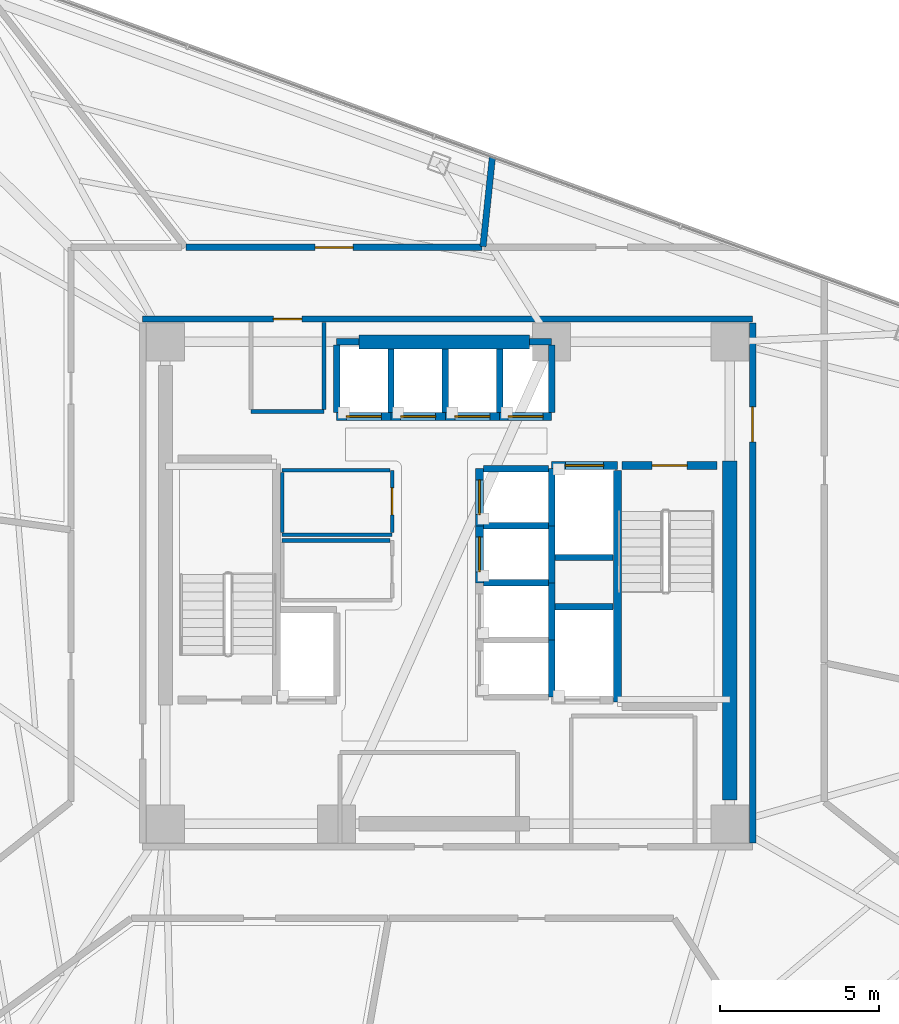
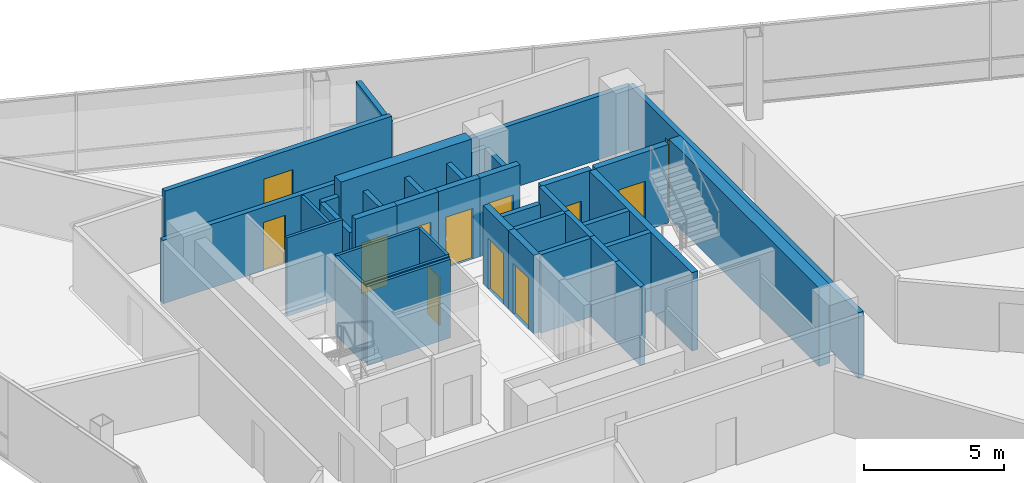
# One storey, part 11 of 16: 38 walls, 12 doors, 12 openings.
"""IFC4 building model written with IfcOpenShell, lengths in metres."""

from ifc_helpers import new_model, si_unit, direction, frame, frame_2d, origin, place, context, subcontext, project, spatial, rectangle, extrude, material, layer, layer_set, type_object, element, fill, save


model = new_model("IFC4")

# Units and contexts
model_context = context("Model", 3, precision=1e-05, world=origin(), true_north=direction((0.0, 1.0)))
body_context = subcontext(model_context, "Body", "Model", "MODEL_VIEW")
ifc_project = project(units=[si_unit("LENGTHUNIT", "METRE"), si_unit("AREAUNIT", "SQUARE_METRE"), si_unit("VOLUMEUNIT", "CUBIC_METRE"), si_unit("PLANEANGLEUNIT", "RADIAN"), si_unit("MASSUNIT", "GRAM", prefix="KILO")], contexts=[model_context])

# Site, building, storey
site_placement = place(None, origin())
site = spatial("IfcSite", under=ifc_project, at=site_placement, CompositionType="ELEMENT")
building_placement = place(site_placement, origin())
building = spatial("IfcBuilding", under=site, at=building_placement, Name="Tharavind Bronze Gate", CompositionType="ELEMENT")
storey_placement = place(building_placement, frame((0.0, 0.0, 170.5)))
storey = spatial("IfcBuildingStorey", under=building, at=storey_placement, Name="L43", CompositionType="ELEMENT", Elevation=170.5)

# Wall, opening, door
ifc_material_1 = material(Name="Aerated Concrete Block", Category="concrete")
ifc_layer_1 = layer(ifc_material_1, 0.199951171875)
ifc_layer_set_1 = layer_set([ifc_layer_1], Name="Aerated Concrete Block")
wall_type_1 = type_object("IfcWallType", Name="FIRE RATED PARTITION 200", PredefinedType="PARTITIONING", material=ifc_layer_set_1)
wall_1_placement = place(storey_placement, frame((9.6201171875, 8.320068359375, 0.0), z_axis=(0.0, 0.0, 1.0), x_axis=(-1.0, 0.0, 0.0)))
wall_1 = element("IfcWall", 1, at=wall_1_placement, inside=storey, type_object=wall_type_1, Name="L43 north core corridor wall", PredefinedType="PARTITIONING", context=body_context, shape_type="SweptSolid", body=[
    extrude(rectangle(XDim=19.240234375, YDim=0.199951171875, at=frame_2d((9.6201171875, 0.0))), origin(), (0.0, 0.0, 1.0), 2.764892578125),
])
opening_1_placement = place(wall_1_placement, frame((14.219970703125, 0.0, 0.0)))
opening_1 = element("IfcOpeningElement", 2, at=opening_1_placement, cuts=wall_1, Name="Opening ID07", PredefinedType="OPENING", context=body_context, shape_type="SweptSolid", body=[
    extrude(rectangle(XDim=0.89990234375, YDim=2.10009765625, at=frame_2d((0.449951171875, 1.050048828125))), frame((0.0, 0.11009765625, 0.0), z_axis=(0.0, -1.0, 0.0), x_axis=(1.0, 0.0, 0.0)), (0.0, 0.0, 1.0), 0.219951171875),
])
ifc_material_2 = material(Name="Galvanised Fire Steel", Category="steel")
door_type_1 = type_object("IfcDoorType", Name="PLANT AND RISER FIRE DOOR 900X2100", OperationType="SINGLE_SWING_LEFT", PredefinedType="DOOR", material=ifc_material_2)
door_1_placement = place(opening_1_placement, origin())
door_1 = element("IfcDoor", 3, at=door_1_placement, inside=storey, type_object=door_type_1, Name="L43 Electrical Switch Cupboard fire door", OperationType="SINGLE_SWING_LEFT", OverallHeight=2.10009765625, OverallWidth=0.89990234375, PredefinedType="DOOR", context=body_context, shape_type="SweptSolid", body=[
    extrude(rectangle(XDim=0.89990234375, YDim=2.10009765625, at=frame_2d((0.449951171875, 1.050048828125))), frame((0.0, 0.02490234375, 0.0), z_axis=(0.0, -1.0, 0.0), x_axis=(1.0, 0.0, 0.0)), (0.0, 0.0, 1.0), 0.050048828125),
])
fill(opening_1, door_1)

wall_2_placement = place(storey_placement, frame((9.6201171875, -8.199951171875, 0.0), z_axis=(0.0, 0.0, 1.0), x_axis=(0.0, 1.0, 0.0)))
wall_2 = element("IfcWall", 4, at=wall_2_placement, inside=storey, type_object=wall_type_1, Name="L43 east core corridor wall", PredefinedType="PARTITIONING", context=body_context, shape_type="SweptSolid", body=[
    extrude(rectangle(XDim=16.39990234375, YDim=0.199951171875, at=frame_2d((8.199951171875, 0.0))), origin(), (0.0, 0.0, 1.0), 2.864990234375),
])
opening_2_placement = place(wall_2_placement, frame((12.64990234375, 0.0, 0.0)))
opening_2 = element("IfcOpeningElement", 5, at=opening_2_placement, cuts=wall_2, Name="Opening ID01", PredefinedType="OPENING", context=body_context, shape_type="SweptSolid", body=[
    extrude(rectangle(XDim=1.10009765625, YDim=2.14990234375, at=frame_2d((0.550048828125, 1.074951171875))), frame((0.0, 0.11009765625, 0.0), z_axis=(0.0, -1.0, 0.0), x_axis=(1.0, 0.0, 0.0)), (0.0, 0.0, 1.0), 0.219951171875),
])
ifc_material_3 = material(Name="Fire-Rated Steel", Category="steel")
door_type_2 = type_object("IfcDoorType", Name="STAIR CORE FIRE DOOR 1100X2150", OperationType="SINGLE_SWING_LEFT", PredefinedType="DOOR", material=ifc_material_3)
door_2_placement = place(opening_2_placement, frame((1.10009765625, 0.0, 0.0), z_axis=(0.0, 0.0, 1.0), x_axis=(-1.0, 0.0, 0.0)))
door_2 = element("IfcDoor", 6, at=door_2_placement, inside=storey, type_object=door_type_2, Name="L43 north east stair lobby fire door", OperationType="SINGLE_SWING_LEFT", OverallHeight=2.14990234375, OverallWidth=1.10009765625, PredefinedType="DOOR", context=body_context, shape_type="SweptSolid", body=[
    extrude(rectangle(XDim=1.10009765625, YDim=2.14990234375, at=frame_2d((0.550048828125, 1.074951171875))), frame((0.0, 0.02490234375, 0.0), z_axis=(0.0, -1.0, 0.0), x_axis=(1.0, 0.0, 0.0)), (0.0, 0.0, 1.0), 0.050048828125),
])
fill(opening_2, door_2)

# Wall
wall_3_placement = place(storey_placement, frame((1.114990234375, 10.607666015625, 0.0), z_axis=(0.0, 0.0, 1.0), x_axis=(0.10451827762, 0.99452296587, 0.0)))
element("IfcWall", 7, at=wall_3_placement, inside=storey, type_object=wall_type_1, Name="L43 Sovereign Fund Open Office partition", PredefinedType="PARTITIONING", context=body_context, shape_type="SweptSolid", body=[
    extrude(rectangle(XDim=2.823974609375, YDim=0.199951171875, at=frame_2d((1.412109375, 0.0))), origin(), (0.0, 0.0, 1.0), 2.715087890625),
])

# Wall, opening, door
wall_4_placement = place(storey_placement, frame((1.089599609375, 10.580078125, 0.0), z_axis=(0.0, 0.0, 1.0), x_axis=(-1.0, 0.0, 0.0)))
wall_4 = element("IfcWall", 8, at=wall_4_placement, inside=storey, type_object=wall_type_1, Name="L43 Investment Committee Room partition", PredefinedType="PARTITIONING", context=body_context, shape_type="SweptSolid", body=[
    extrude(rectangle(XDim=9.343505859375, YDim=0.199951171875, at=frame_2d((4.671875, 0.0))), origin(), (0.0, 0.0, 1.0), 3.054931640625),
])
opening_3_placement = place(wall_4_placement, frame((4.072021484375, 0.0, 0.0)))
opening_3 = element("IfcOpeningElement", 9, at=opening_3_placement, cuts=wall_4, Name="Opening ID05", PredefinedType="OPENING", context=body_context, shape_type="SweptSolid", body=[
    extrude(rectangle(XDim=1.199951171875, YDim=2.14990234375, at=frame_2d((0.60009765625, 1.074951171875))), frame((0.0, 0.11009765625, 0.0), z_axis=(0.0, -1.0, 0.0), x_axis=(1.0, 0.0, 0.0)), (0.0, 0.0, 1.0), 0.219951171875),
])
ifc_material_4 = material(Name="Acoustic Laminated Glass", Category="glass")
door_type_3 = type_object("IfcDoorType", Name="MEETING ROOM GLAZED DOOR 1200X2150", OperationType="SINGLE_SWING_LEFT", PredefinedType="DOOR", material=ifc_material_4)
door_3_placement = place(opening_3_placement, origin())
door_3 = element("IfcDoor", 10, at=door_3_placement, inside=storey, type_object=door_type_3, Name="L43 Investment Committee Room door", OperationType="SINGLE_SWING_LEFT", OverallHeight=2.14990234375, OverallWidth=1.199951171875, PredefinedType="DOOR", context=body_context, shape_type="SweptSolid", body=[
    extrude(rectangle(XDim=1.199951171875, YDim=2.14990234375, at=frame_2d((0.60009765625, 1.074951171875))), frame((0.0, 0.02490234375, 0.0), z_axis=(0.0, -1.0, 0.0), x_axis=(1.0, 0.0, 0.0)), (0.0, 0.0, 1.0), 0.050048828125),
])
fill(opening_3, door_3)

# Wall
ifc_material_5 = material(Name="Metal Stud Gypsum Partition", Category="gypsum")
ifc_layer_2 = layer(ifc_material_5, 0.1201171875)
ifc_layer_set_2 = layer_set([ifc_layer_2], Name="Metal Stud Gypsum Partition")
wall_type_2 = type_object("IfcWallType", Name="INTERIOR PARTITION WALL 120", PredefinedType="PARTITIONING", material=ifc_layer_set_2)
wall_5_placement = place(storey_placement, frame((-5.219970703125, 1.52001953125, 0.0), z_axis=(0.0, 0.0, 1.0), x_axis=(1.0, 0.0, 0.0)))
element("IfcWall", 11, at=wall_5_placement, inside=storey, type_object=wall_type_2, Name="L43 Cleaner Store Room partition 1", PredefinedType="PARTITIONING", context=body_context, shape_type="SweptSolid", body=[
    extrude(rectangle(XDim=3.469970703125, YDim=0.1201171875, at=frame_2d((1.73486328125, 0.0))), origin(), (0.0, 0.0, 1.0), 3.419921875),
])

# Wall, opening, door
wall_6_placement = place(storey_placement, frame((-1.75, 1.5849609375, 0.0), z_axis=(0.0, 0.0, 1.0), x_axis=(0.0, 1.0, 0.0)))
wall_6 = element("IfcWall", 12, at=wall_6_placement, inside=storey, type_object=wall_type_2, Name="L43 Cleaner Store Room partition 2", PredefinedType="PARTITIONING", context=body_context, shape_type="SweptSolid", body=[
    extrude(rectangle(XDim=1.965087890625, YDim=0.1201171875, at=frame_2d((0.982421875, 0.0))), origin(), (0.0, 0.0, 1.0), 3.419921875),
])
opening_4_placement = place(wall_6_placement, frame((0.556884765625, 0.0, 0.0)))
opening_4 = element("IfcOpeningElement", 13, at=opening_4_placement, cuts=wall_6, Name="Opening ID06", PredefinedType="OPENING", context=body_context, shape_type="SweptSolid", body=[
    extrude(rectangle(XDim=0.85009765625, YDim=2.10009765625, at=frame_2d((0.425048828125, 1.050048828125))), frame((0.0, 0.07005859375, 0.0), z_axis=(0.0, -1.0, 0.0), x_axis=(1.0, 0.0, 0.0)), (0.0, 0.0, 1.0), 0.1401171875),
])
ifc_material_6 = material(Name="Moisture-Resistant Timber", Category="wood")
door_type_4 = type_object("IfcDoorType", Name="BATHROOM PRIVACY DOOR 850X2100", OperationType="SINGLE_SWING_RIGHT", PredefinedType="DOOR", material=ifc_material_6)
door_4_placement = place(opening_4_placement, frame((0.85009765625, 0.0, 0.0), z_axis=(0.0, 0.0, 1.0), x_axis=(-1.0, 0.0, 0.0)))
door_4 = element("IfcDoor", 14, at=door_4_placement, inside=storey, type_object=door_type_4, Name="L43 Cleaner Store Room door", OperationType="SINGLE_SWING_RIGHT", OverallHeight=2.10009765625, OverallWidth=0.85009765625, PredefinedType="DOOR", context=body_context, shape_type="SweptSolid", body=[
    extrude(rectangle(XDim=0.85009765625, YDim=2.10009765625, at=frame_2d((0.425048828125, 1.050048828125))), frame((0.0, 0.02490234375, 0.0), z_axis=(0.0, -1.0, 0.0), x_axis=(1.0, 0.0, 0.0)), (0.0, 0.0, 1.0), 0.050048828125),
])
fill(opening_4, door_4)

# Walls
wall_7_placement = place(storey_placement, frame((-1.81494140625, 3.550048828125, 0.0), z_axis=(0.0, 0.0, 1.0), x_axis=(-1.0, 0.0, 0.0)))
element("IfcWall", 15, at=wall_7_placement, inside=storey, type_object=wall_type_2, Name="L43 Cleaner Store Room partition 3", PredefinedType="PARTITIONING", context=body_context, shape_type="SweptSolid", body=[
    extrude(rectangle(XDim=3.405029296875, YDim=0.1201171875, at=frame_2d((1.70263671875, 0.0))), origin(), (0.0, 0.0, 1.0), 3.419921875),
])
wall_8_placement = place(storey_placement, frame((-5.219970703125, 3.485107421875, 0.0), z_axis=(0.0, 0.0, 1.0), x_axis=(0.0, -1.0, 0.0)))
element("IfcWall", 16, at=wall_8_placement, inside=storey, type_object=wall_type_2, Name="L43 Cleaner Store Room partition 4", PredefinedType="PARTITIONING", context=body_context, shape_type="SweptSolid", body=[
    extrude(rectangle(XDim=1.900146484375, YDim=0.1201171875, at=frame_2d((0.9501953125, 0.0))), origin(), (0.0, 0.0, 1.0), 3.419921875),
])
wall_9_placement = place(storey_placement, frame((-1.81494140625, 1.340087890625, 0.0), z_axis=(0.0, 0.0, 1.0), x_axis=(-1.0, 0.0, 0.0)))
element("IfcWall", 17, at=wall_9_placement, inside=storey, type_object=wall_type_2, Name="L43 Electrical Switch Room partition 3", PredefinedType="PARTITIONING", context=body_context, shape_type="SweptSolid", body=[
    extrude(rectangle(XDim=3.405029296875, YDim=0.1201171875, at=frame_2d((1.70263671875, 0.0))), origin(), (0.0, 0.0, 1.0), 3.419921875),
])
wall_10_placement = place(storey_placement, frame((-6.199951171875, 5.39990234375, 0.0), z_axis=(0.0, 0.0, 1.0), x_axis=(1.0, 0.0, 0.0)))
element("IfcWall", 18, at=wall_10_placement, inside=storey, type_object=wall_type_2, Name="L43 Electrical Switch Cupboard partition 1", PredefinedType="PARTITIONING", context=body_context, shape_type="SweptSolid", body=[
    extrude(rectangle(XDim=2.300048828125, YDim=0.1201171875, at=frame_2d((1.14990234375, 0.0))), origin(), (0.0, 0.0, 1.0), 3.419921875),
])
wall_11_placement = place(storey_placement, frame((-3.89990234375, 5.465087890625, 0.0), z_axis=(0.0, 0.0, 1.0), x_axis=(0.0, 1.0, 0.0)))
element("IfcWall", 19, at=wall_11_placement, inside=storey, type_object=wall_type_2, Name="L43 Electrical Switch Cupboard partition 2", PredefinedType="PARTITIONING", context=body_context, shape_type="SweptSolid", body=[
    extrude(rectangle(XDim=2.75, YDim=0.1201171875, at=frame_2d((1.375, 0.0))), origin(), (0.0, 0.0, 1.0), 2.715087890625),
])
ifc_material_7 = material(Name="Concrete C50/60", Category="concrete")
ifc_layer_3 = layer(ifc_material_7, 0.25)
ifc_layer_set_3 = layer_set([ifc_layer_3], Name="Concrete C50/60")
wall_type_3 = type_object("IfcWallType", Name="RC CORE SHEAR WALL 250", PredefinedType="SHEAR", material=ifc_layer_set_3)
wall_12_placement = place(storey_placement, frame((5.35009765625, -3.75, 0.0), z_axis=(0.0, 0.0, 1.0), x_axis=(0.0, 1.0, 0.0)))
element("IfcWall", 20, at=wall_12_placement, inside=storey, type_object=wall_type_3, Name="L43 ST2 shaft west wall", PredefinedType="SHEAR", context=body_context, shape_type="SweptSolid", body=[
    extrude(rectangle(XDim=7.300048828125, YDim=0.25, at=frame_2d((3.64990234375, 0.0))), origin(), (0.0, 0.0, 1.0), 3.419921875),
])

# Wall, opening, door
wall_13_placement = place(storey_placement, frame((5.5, 3.699951171875, 0.0), z_axis=(0.0, 0.0, 1.0), x_axis=(1.0, 0.0, 0.0)))
wall_13 = element("IfcWall", 21, at=wall_13_placement, inside=storey, type_object=wall_type_3, Name="L43 ST2 shaft north wall", PredefinedType="SHEAR", context=body_context, shape_type="SweptSolid", body=[
    extrude(rectangle(XDim=3.0, YDim=0.25, at=frame_2d((1.5, 0.0))), origin(), (0.0, 0.0, 1.0), 3.419921875),
])
opening_5_placement = place(wall_13_placement, frame((0.949951171875, 0.0, 0.0)))
opening_5 = element("IfcOpeningElement", 22, at=opening_5_placement, cuts=wall_13, Name="Opening ID01", PredefinedType="OPENING", context=body_context, shape_type="SweptSolid", body=[
    extrude(rectangle(XDim=1.10009765625, YDim=2.14990234375, at=frame_2d((0.550048828125, 1.074951171875))), frame((0.0, 0.135, 0.0), z_axis=(0.0, -1.0, 0.0), x_axis=(1.0, 0.0, 0.0)), (0.0, 0.0, 1.0), 0.27),
])
door_5_placement = place(opening_5_placement, frame((1.10009765625, 0.0, 0.0), z_axis=(0.0, 0.0, 1.0), x_axis=(-1.0, 0.0, 0.0)))
door_5 = element("IfcDoor", 23, at=door_5_placement, inside=storey, type_object=door_type_2, Name="L43 exit stair ST2 fire door", OperationType="SINGLE_SWING_LEFT", OverallHeight=2.14990234375, OverallWidth=1.10009765625, PredefinedType="DOOR", context=body_context, shape_type="SweptSolid", body=[
    extrude(rectangle(XDim=1.10009765625, YDim=2.14990234375, at=frame_2d((0.550048828125, 1.074951171875))), frame((0.0, 0.02490234375, 0.0), z_axis=(0.0, -1.0, 0.0), x_axis=(1.0, 0.0, 0.0)), (0.0, 0.0, 1.0), 0.050048828125),
])
fill(opening_5, door_5)

wall_14_placement = place(storey_placement, frame((-3.5, 5.25, 0.0), z_axis=(0.0, 0.0, 1.0), x_axis=(1.0, 0.0, 0.0)))
wall_14 = element("IfcWall", 24, at=wall_14_placement, inside=storey, type_object=wall_type_3, Name="L43 lift PL5 shaft front wall", PredefinedType="SHEAR", context=body_context, shape_type="SweptSolid", body=[
    extrude(rectangle(XDim=1.71240234375, YDim=0.25, at=frame_2d((0.856201171875, 0.0))), origin(), (0.0, 0.0, 1.0), 3.419921875),
])
opening_6_placement = place(wall_14_placement, frame((0.305908203125, 0.0, 0.0)))
opening_6 = element("IfcOpeningElement", 25, at=opening_6_placement, cuts=wall_14, Name="Opening LD01", PredefinedType="OPENING", context=body_context, shape_type="SweptSolid", body=[
    extrude(rectangle(XDim=1.10009765625, YDim=2.199951171875, at=frame_2d((0.550048828125, 1.10009765625))), frame((0.0, 0.135, 0.0), z_axis=(0.0, -1.0, 0.0), x_axis=(1.0, 0.0, 0.0)), (0.0, 0.0, 1.0), 0.27),
])
ifc_material_8 = material(Name="Brushed Bronze Stainless Steel", Category="steel")
door_type_5 = type_object("IfcDoorType", Name="LIFT LANDING SLIDING DOOR 1100X2200", OperationType="SLIDING_TO_LEFT", PredefinedType="DOOR", material=ifc_material_8)
door_6_placement = place(opening_6_placement, origin())
door_6 = element("IfcDoor", 26, at=door_6_placement, inside=storey, type_object=door_type_5, Name="L43 lift PL5 sliding landing door", OperationType="SLIDING_TO_LEFT", OverallHeight=2.199951171875, OverallWidth=1.10009765625, PredefinedType="DOOR", context=body_context, shape_type="SweptSolid", body=[
    extrude(rectangle(XDim=1.10009765625, YDim=2.199951171875, at=frame_2d((0.550048828125, 1.10009765625))), frame((0.0, 0.02490234375, 0.0), z_axis=(0.0, -1.0, 0.0), x_axis=(1.0, 0.0, 0.0)), (0.0, 0.0, 1.0), 0.050048828125),
])
fill(opening_6, door_6)

wall_15_placement = place(storey_placement, frame((-1.78759765625, 5.25, 0.0), z_axis=(0.0, 0.0, 1.0), x_axis=(1.0, 0.0, 0.0)))
wall_15 = element("IfcWall", 27, at=wall_15_placement, inside=storey, type_object=wall_type_3, Name="L43 lift PL6 shaft front wall", PredefinedType="SHEAR", context=body_context, shape_type="SweptSolid", body=[
    extrude(rectangle(XDim=1.712646484375, YDim=0.25, at=frame_2d((0.8564453125, 0.0))), origin(), (0.0, 0.0, 1.0), 3.419921875),
])
opening_7_placement = place(wall_15_placement, frame((0.305908203125, 0.0, 0.0)))
opening_7 = element("IfcOpeningElement", 28, at=opening_7_placement, cuts=wall_15, Name="Opening LD01", PredefinedType="OPENING", context=body_context, shape_type="SweptSolid", body=[
    extrude(rectangle(XDim=1.10009765625, YDim=2.199951171875, at=frame_2d((0.550048828125, 1.10009765625))), frame((0.0, 0.135, 0.0), z_axis=(0.0, -1.0, 0.0), x_axis=(1.0, 0.0, 0.0)), (0.0, 0.0, 1.0), 0.27),
])
door_7_placement = place(opening_7_placement, origin())
door_7 = element("IfcDoor", 29, at=door_7_placement, inside=storey, type_object=door_type_5, Name="L43 lift PL6 sliding landing door", OperationType="SLIDING_TO_LEFT", OverallHeight=2.199951171875, OverallWidth=1.10009765625, PredefinedType="DOOR", context=body_context, shape_type="SweptSolid", body=[
    extrude(rectangle(XDim=1.10009765625, YDim=2.199951171875, at=frame_2d((0.550048828125, 1.10009765625))), frame((0.0, 0.02490234375, 0.0), z_axis=(0.0, -1.0, 0.0), x_axis=(1.0, 0.0, 0.0)), (0.0, 0.0, 1.0), 0.050048828125),
])
fill(opening_7, door_7)

wall_16_placement = place(storey_placement, frame((-0.074951171875, 5.25, 0.0), z_axis=(0.0, 0.0, 1.0), x_axis=(1.0, 0.0, 0.0)))
wall_16 = element("IfcWall", 30, at=wall_16_placement, inside=storey, type_object=wall_type_3, Name="L43 lift PL7 shaft front wall", PredefinedType="SHEAR", context=body_context, shape_type="SweptSolid", body=[
    extrude(rectangle(XDim=1.71240234375, YDim=0.25, at=frame_2d((0.856201171875, 0.0))), origin(), (0.0, 0.0, 1.0), 3.419921875),
])
opening_8_placement = place(wall_16_placement, frame((0.305908203125, 0.0, 0.0)))
opening_8 = element("IfcOpeningElement", 31, at=opening_8_placement, cuts=wall_16, Name="Opening LD01", PredefinedType="OPENING", context=body_context, shape_type="SweptSolid", body=[
    extrude(rectangle(XDim=1.10009765625, YDim=2.199951171875, at=frame_2d((0.550048828125, 1.10009765625))), frame((0.0, 0.135, 0.0), z_axis=(0.0, -1.0, 0.0), x_axis=(1.0, 0.0, 0.0)), (0.0, 0.0, 1.0), 0.27),
])
door_8_placement = place(opening_8_placement, origin())
door_8 = element("IfcDoor", 32, at=door_8_placement, inside=storey, type_object=door_type_5, Name="L43 lift PL7 sliding landing door", OperationType="SLIDING_TO_LEFT", OverallHeight=2.199951171875, OverallWidth=1.10009765625, PredefinedType="DOOR", context=body_context, shape_type="SweptSolid", body=[
    extrude(rectangle(XDim=1.10009765625, YDim=2.199951171875, at=frame_2d((0.550048828125, 1.10009765625))), frame((0.0, 0.02490234375, 0.0), z_axis=(0.0, -1.0, 0.0), x_axis=(1.0, 0.0, 0.0)), (0.0, 0.0, 1.0), 0.050048828125),
])
fill(opening_8, door_8)

wall_17_placement = place(storey_placement, frame((1.637451171875, 5.25, 0.0), z_axis=(0.0, 0.0, 1.0), x_axis=(1.0, 0.0, 0.0)))
wall_17 = element("IfcWall", 33, at=wall_17_placement, inside=storey, type_object=wall_type_3, Name="L43 lift PL8 shaft front wall", PredefinedType="SHEAR", context=body_context, shape_type="SweptSolid", body=[
    extrude(rectangle(XDim=1.642578125, YDim=0.25, at=frame_2d((0.8212890625, 0.0))), origin(), (0.0, 0.0, 1.0), 3.419921875),
])
opening_9_placement = place(wall_17_placement, frame((0.27099609375, 0.0, 0.0)))
opening_9 = element("IfcOpeningElement", 34, at=opening_9_placement, cuts=wall_17, Name="Opening LD01", PredefinedType="OPENING", context=body_context, shape_type="SweptSolid", body=[
    extrude(rectangle(XDim=1.10009765625, YDim=2.199951171875, at=frame_2d((0.550048828125, 1.10009765625))), frame((0.0, 0.135, 0.0), z_axis=(0.0, -1.0, 0.0), x_axis=(1.0, 0.0, 0.0)), (0.0, 0.0, 1.0), 0.27),
])
door_9_placement = place(opening_9_placement, origin())
door_9 = element("IfcDoor", 35, at=door_9_placement, inside=storey, type_object=door_type_5, Name="L43 lift PL8 sliding landing door", OperationType="SLIDING_TO_LEFT", OverallHeight=2.199951171875, OverallWidth=1.10009765625, PredefinedType="DOOR", context=body_context, shape_type="SweptSolid", body=[
    extrude(rectangle(XDim=1.10009765625, YDim=2.199951171875, at=frame_2d((0.550048828125, 1.10009765625))), frame((0.0, 0.02490234375, 0.0), z_axis=(0.0, -1.0, 0.0), x_axis=(1.0, 0.0, 0.0)), (0.0, 0.0, 1.0), 0.050048828125),
])
fill(opening_9, door_9)

wall_18_placement = place(storey_placement, frame((1.0, 0.0, 0.0), z_axis=(0.0, 0.0, 1.0), x_axis=(0.0, 1.0, 0.0)))
wall_18 = element("IfcWall", 36, at=wall_18_placement, inside=storey, type_object=wall_type_3, Name="L43 lift PL11 shaft front wall", PredefinedType="SHEAR", context=body_context, shape_type="SweptSolid", body=[
    extrude(rectangle(XDim=1.800048828125, YDim=0.25, at=frame_2d((0.89990234375, 0.0))), origin(), (0.0, 0.0, 1.0), 3.419921875),
])
opening_10_placement = place(wall_18_placement, frame((0.35009765625, 0.0, 0.0)))
opening_10 = element("IfcOpeningElement", 37, at=opening_10_placement, cuts=wall_18, Name="Opening LD01", PredefinedType="OPENING", context=body_context, shape_type="SweptSolid", body=[
    extrude(rectangle(XDim=1.10009765625, YDim=2.199951171875, at=frame_2d((0.550048828125, 1.10009765625))), frame((0.0, 0.135, 0.0), z_axis=(0.0, -1.0, 0.0), x_axis=(1.0, 0.0, 0.0)), (0.0, 0.0, 1.0), 0.27),
])
door_10_placement = place(opening_10_placement, origin())
door_10 = element("IfcDoor", 38, at=door_10_placement, inside=storey, type_object=door_type_5, Name="L43 lift PL11 sliding landing door", OperationType="SLIDING_TO_LEFT", OverallHeight=2.199951171875, OverallWidth=1.10009765625, PredefinedType="DOOR", context=body_context, shape_type="SweptSolid", body=[
    extrude(rectangle(XDim=1.10009765625, YDim=2.199951171875, at=frame_2d((0.550048828125, 1.10009765625))), frame((0.0, 0.02490234375, 0.0), z_axis=(0.0, -1.0, 0.0), x_axis=(1.0, 0.0, 0.0)), (0.0, 0.0, 1.0), 0.050048828125),
])
fill(opening_10, door_10)

wall_19_placement = place(storey_placement, frame((1.0, 1.800048828125, 0.0), z_axis=(0.0, 0.0, 1.0), x_axis=(0.0, 1.0, 0.0)))
wall_19 = element("IfcWall", 39, at=wall_19_placement, inside=storey, type_object=wall_type_3, Name="L43 lift PL12 shaft front wall", PredefinedType="SHEAR", context=body_context, shape_type="SweptSolid", body=[
    extrude(rectangle(XDim=1.800048828125, YDim=0.25, at=frame_2d((0.89990234375, 0.0))), origin(), (0.0, 0.0, 1.0), 3.419921875),
])
opening_11_placement = place(wall_19_placement, frame((0.35009765625, 0.0, 0.0)))
opening_11 = element("IfcOpeningElement", 40, at=opening_11_placement, cuts=wall_19, Name="Opening LD01", PredefinedType="OPENING", context=body_context, shape_type="SweptSolid", body=[
    extrude(rectangle(XDim=1.10009765625, YDim=2.199951171875, at=frame_2d((0.550048828125, 1.10009765625))), frame((0.0, 0.135, 0.0), z_axis=(0.0, -1.0, 0.0), x_axis=(1.0, 0.0, 0.0)), (0.0, 0.0, 1.0), 0.27),
])
door_11_placement = place(opening_11_placement, origin())
door_11 = element("IfcDoor", 41, at=door_11_placement, inside=storey, type_object=door_type_5, Name="L43 lift PL12 sliding landing door", OperationType="SLIDING_TO_LEFT", OverallHeight=2.199951171875, OverallWidth=1.10009765625, PredefinedType="DOOR", context=body_context, shape_type="SweptSolid", body=[
    extrude(rectangle(XDim=1.10009765625, YDim=2.199951171875, at=frame_2d((0.550048828125, 1.10009765625))), frame((0.0, 0.02490234375, 0.0), z_axis=(0.0, -1.0, 0.0), x_axis=(1.0, 0.0, 0.0)), (0.0, 0.0, 1.0), 0.050048828125),
])
fill(opening_11, door_11)

wall_20_placement = place(storey_placement, frame((3.280029296875, 3.699951171875, 0.0), z_axis=(0.0, 0.0, 1.0), x_axis=(1.0, 0.0, 0.0)))
wall_20 = element("IfcWall", 42, at=wall_20_placement, inside=storey, type_object=wall_type_3, Name="L43 lift FFL2 shaft front wall", PredefinedType="SHEAR", context=body_context, shape_type="SweptSolid", body=[
    extrude(rectangle(XDim=2.070068359375, YDim=0.25, at=frame_2d((1.03515625, 0.0))), origin(), (0.0, 0.0, 1.0), 3.419921875),
])
opening_12_placement = place(wall_20_placement, frame((0.43505859375, 0.0, 0.0)))
opening_12 = element("IfcOpeningElement", 43, at=opening_12_placement, cuts=wall_20, Name="Opening LD02", PredefinedType="OPENING", context=body_context, shape_type="SweptSolid", body=[
    extrude(rectangle(XDim=1.199951171875, YDim=2.199951171875, at=frame_2d((0.60009765625, 1.10009765625))), frame((0.0, 0.135, 0.0), z_axis=(0.0, -1.0, 0.0), x_axis=(1.0, 0.0, 0.0)), (0.0, 0.0, 1.0), 0.27),
])
ifc_material_9 = material(Name="Brushed Stainless Steel", Category="steel")
door_type_6 = type_object("IfcDoorType", Name="FIREFIGHTING LIFT LANDING DOOR 1200X2200", OperationType="SLIDING_TO_RIGHT", PredefinedType="DOOR", material=ifc_material_9)
door_12_placement = place(opening_12_placement, origin())
door_12 = element("IfcDoor", 44, at=door_12_placement, inside=storey, type_object=door_type_6, Name="L43 lift FFL2 sliding landing door", OperationType="SLIDING_TO_RIGHT", OverallHeight=2.199951171875, OverallWidth=1.199951171875, PredefinedType="DOOR", context=body_context, shape_type="SweptSolid", body=[
    extrude(rectangle(XDim=1.199951171875, YDim=2.199951171875, at=frame_2d((0.60009765625, 1.10009765625))), frame((0.0, 0.02490234375, 0.0), z_axis=(0.0, -1.0, 0.0), x_axis=(1.0, 0.0, 0.0)), (0.0, 0.0, 1.0), 0.050048828125),
])
fill(opening_12, door_12)

# Walls
ifc_material_10 = material(Name="Concrete C60/75", Category="concrete")
ifc_layer_4 = layer(ifc_material_10, 0.449951171875)
ifc_layer_set_4 = layer_set([ifc_layer_4], Name="Concrete C60/75")
wall_type_4 = type_object("IfcWallType", Name="RC CORE SHEAR WALL 450", PredefinedType="SHEAR", material=ifc_layer_set_4)
wall_21_placement = place(storey_placement, frame((-2.800048828125, 7.60009765625, 0.0), z_axis=(0.0, 0.0, 1.0), x_axis=(1.0, 0.0, 0.0)))
element("IfcWall", 45, at=wall_21_placement, inside=storey, type_object=wall_type_4, Name="L43 north core shear wall", PredefinedType="SHEAR", context=body_context, shape_type="SweptSolid", body=[
    extrude(rectangle(XDim=5.380126953125, YDim=0.449951171875, at=frame_2d((2.68994140625, 0.0))), origin(), (0.0, 0.0, 1.0), 3.419921875),
])
wall_22_placement = place(storey_placement, frame((8.89990234375, -6.85009765625, 0.0), z_axis=(0.0, 0.0, 1.0), x_axis=(0.0, 1.0, 0.0)))
element("IfcWall", 46, at=wall_22_placement, inside=storey, type_object=wall_type_4, Name="L43 east core shear wall", PredefinedType="SHEAR", context=body_context, shape_type="SweptSolid", body=[
    extrude(rectangle(XDim=10.7001953125, YDim=0.449951171875, at=frame_2d((5.35009765625, 0.0))), origin(), (0.0, 0.0, 1.0), 3.419921875),
])
ifc_material_11 = material(Name="Concrete C40/50", Category="concrete")
ifc_layer_5 = layer(ifc_material_11, 0.199951171875)
ifc_layer_set_5 = layer_set([ifc_layer_5], Name="Concrete C40/50")
wall_type_5 = type_object("IfcWallType", Name="SHAFT ENCLOSURE WALL 200", PredefinedType="PARTITIONING", material=ifc_layer_set_5)
wall_23_placement = place(storey_placement, frame((-3.5, 7.60009765625, 0.0), z_axis=(0.0, 0.0, 1.0), x_axis=(1.0, 0.0, 0.0)))
element("IfcWall", 47, at=wall_23_placement, inside=storey, type_object=wall_type_5, Name="L43 lift PL5 shaft N enclosure wall", PredefinedType="PARTITIONING", context=body_context, shape_type="SweptSolid", body=[
    extrude(rectangle(XDim=0.699951171875, YDim=0.199951171875, at=frame_2d((0.35009765625, 0.0))), origin(), (0.0, 0.0, 1.0), 2.715087890625),
])
wall_24_placement = place(storey_placement, frame((-3.5, 5.3798828125, 0.0), z_axis=(0.0, 0.0, 1.0), x_axis=(0.0, 1.0, 0.0)))
element("IfcWall", 48, at=wall_24_placement, inside=storey, type_object=wall_type_5, Name="L43 lift PL5 shaft W enclosure wall", PredefinedType="PARTITIONING", context=body_context, shape_type="SweptSolid", body=[
    extrude(rectangle(XDim=2.115234375, YDim=0.199951171875, at=frame_2d((1.0576171875, 0.0))), origin(), (0.0, 0.0, 1.0), 2.715087890625),
])
for number, where, z_axis, x_axis, name in (
    (49, (-1.78759765625, 5.3798828125, 0.0), (0.0, 0.0, 1.0), (0.0, 1.0, 0.0), "L43 lift PL5 shaft E enclosure wall"),
    (50, (-0.074951171875, 5.3798828125, 0.0), (0.0, 0.0, 1.0), (0.0, 1.0, 0.0), "L43 lift PL6 shaft E enclosure wall"),
    (51, (1.637451171875, 5.3798828125, 0.0), (0.0, 0.0, 1.0), (0.0, 1.0, 0.0), "L43 lift PL7 shaft E enclosure wall"),
):
    element("IfcWall", number, at=place(storey_placement, frame(where, z_axis=z_axis, x_axis=x_axis)), inside=storey, type_object=wall_type_5, Name=name, PredefinedType="PARTITIONING", context=body_context, shape_type="SweptSolid", body=[
        extrude(rectangle(XDim=1.990234375, YDim=0.199951171875, at=frame_2d((0.9951171875, 0.0))), origin(), (0.0, 0.0, 1.0), 2.715087890625),
    ])
wall_25_placement = place(storey_placement, frame((2.580078125, 7.60009765625, 0.0), z_axis=(0.0, 0.0, 1.0), x_axis=(1.0, 0.0, 0.0)))
element("IfcWall", 52, at=wall_25_placement, inside=storey, type_object=wall_type_5, Name="L43 lift PL8 shaft N enclosure wall", PredefinedType="PARTITIONING", context=body_context, shape_type="SweptSolid", body=[
    extrude(rectangle(XDim=0.699951171875, YDim=0.199951171875, at=frame_2d((0.35009765625, 0.0))), origin(), (0.0, 0.0, 1.0), 2.715087890625),
])
wall_26_placement = place(storey_placement, frame((3.280029296875, 5.3798828125, 0.0), z_axis=(0.0, 0.0, 1.0), x_axis=(0.0, 1.0, 0.0)))
element("IfcWall", 53, at=wall_26_placement, inside=storey, type_object=wall_type_5, Name="L43 lift PL8 shaft E enclosure wall", PredefinedType="PARTITIONING", context=body_context, shape_type="SweptSolid", body=[
    extrude(rectangle(XDim=2.115234375, YDim=0.199951171875, at=frame_2d((1.0576171875, 0.0))), origin(), (0.0, 0.0, 1.0), 2.715087890625),
])
for number, where, z_axis, x_axis, name in (
    (54, (3.280029296875, -3.60009765625, 0.0), (0.0, 0.0, 1.0), (0.0, 1.0, 0.0), "L43 lift PL9 shaft E enclosure wall"),
    (55, (3.280029296875, -1.800048828125, 0.0), (0.0, 0.0, 1.0), (0.0, 1.0, 0.0), "L43 lift PL10 shaft E enclosure wall"),
):
    element("IfcWall", number, at=place(storey_placement, frame(where, z_axis=z_axis, x_axis=x_axis)), inside=storey, type_object=wall_type_5, Name=name, PredefinedType="PARTITIONING", context=body_context, shape_type="SweptSolid", body=[
        extrude(rectangle(XDim=1.800048828125, YDim=0.199951171875, at=frame_2d((0.89990234375, 0.0))), origin(), (0.0, 0.0, 1.0), 3.419921875),
    ])
wall_27_placement = place(storey_placement, frame((1.1298828125, 0.0, 0.0), z_axis=(0.0, 0.0, 1.0), x_axis=(1.0, 0.0, 0.0)))
element("IfcWall", 56, at=wall_27_placement, inside=storey, type_object=wall_type_5, Name="L43 lift PL10 shaft N enclosure wall", PredefinedType="PARTITIONING", context=body_context, shape_type="SweptSolid", body=[
    extrude(rectangle(XDim=2.045166015625, YDim=0.199951171875, at=frame_2d((1.0224609375, 0.0))), origin(), (0.0, 0.0, 1.0), 3.419921875),
])
wall_28_placement = place(storey_placement, frame((3.280029296875, 0.0, 0.0), z_axis=(0.0, 0.0, 1.0), x_axis=(0.0, 1.0, 0.0)))
element("IfcWall", 57, at=wall_28_placement, inside=storey, type_object=wall_type_5, Name="L43 lift PL11 shaft E enclosure wall", PredefinedType="PARTITIONING", context=body_context, shape_type="SweptSolid", body=[
    extrude(rectangle(XDim=1.800048828125, YDim=0.199951171875, at=frame_2d((0.89990234375, 0.0))), origin(), (0.0, 0.0, 1.0), 3.419921875),
])
wall_29_placement = place(storey_placement, frame((1.1298828125, 1.800048828125, 0.0), z_axis=(0.0, 0.0, 1.0), x_axis=(1.0, 0.0, 0.0)))
element("IfcWall", 58, at=wall_29_placement, inside=storey, type_object=wall_type_5, Name="L43 lift PL11 shaft N enclosure wall", PredefinedType="PARTITIONING", context=body_context, shape_type="SweptSolid", body=[
    extrude(rectangle(XDim=2.045166015625, YDim=0.199951171875, at=frame_2d((1.0224609375, 0.0))), origin(), (0.0, 0.0, 1.0), 3.419921875),
])
wall_30_placement = place(storey_placement, frame((3.280029296875, 1.800048828125, 0.0), z_axis=(0.0, 0.0, 1.0), x_axis=(0.0, 1.0, 0.0)))
element("IfcWall", 59, at=wall_30_placement, inside=storey, type_object=wall_type_5, Name="L43 lift PL12 shaft E enclosure wall", PredefinedType="PARTITIONING", context=body_context, shape_type="SweptSolid", body=[
    extrude(rectangle(XDim=1.800048828125, YDim=0.199951171875, at=frame_2d((0.89990234375, 0.0))), origin(), (0.0, 0.0, 1.0), 3.419921875),
])
wall_31_placement = place(storey_placement, frame((1.1298828125, 3.60009765625, 0.0), z_axis=(0.0, 0.0, 1.0), x_axis=(1.0, 0.0, 0.0)))
element("IfcWall", 60, at=wall_31_placement, inside=storey, type_object=wall_type_5, Name="L43 lift PL12 shaft N enclosure wall", PredefinedType="PARTITIONING", context=body_context, shape_type="SweptSolid", body=[
    extrude(rectangle(XDim=2.045166015625, YDim=0.199951171875, at=frame_2d((1.0224609375, 0.0))), origin(), (0.0, 0.0, 1.0), 2.715087890625),
])
for number, where, z_axis, x_axis, name in (
    (61, (3.385009765625, 0.800048828125, 0.0), (0.0, 0.0, 1.0), (1.0, 0.0, 0.0), "L43 lift FFL2 shaft S enclosure wall"),
    (62, (3.385009765625, -0.75, 0.0), (0.0, 0.0, 1.0), (1.0, 0.0, 0.0), "L43 lift SVL1 shaft N enclosure wall"),
):
    element("IfcWall", number, at=place(storey_placement, frame(where, z_axis=z_axis, x_axis=x_axis)), inside=storey, type_object=wall_type_5, Name=name, PredefinedType="PARTITIONING", context=body_context, shape_type="SweptSolid", body=[
        extrude(rectangle(XDim=1.8349609375, YDim=0.199951171875, at=frame_2d((0.91748046875, 0.0))), origin(), (0.0, 0.0, 1.0), 3.419921875),
    ])

save(model, "model.ifc")
